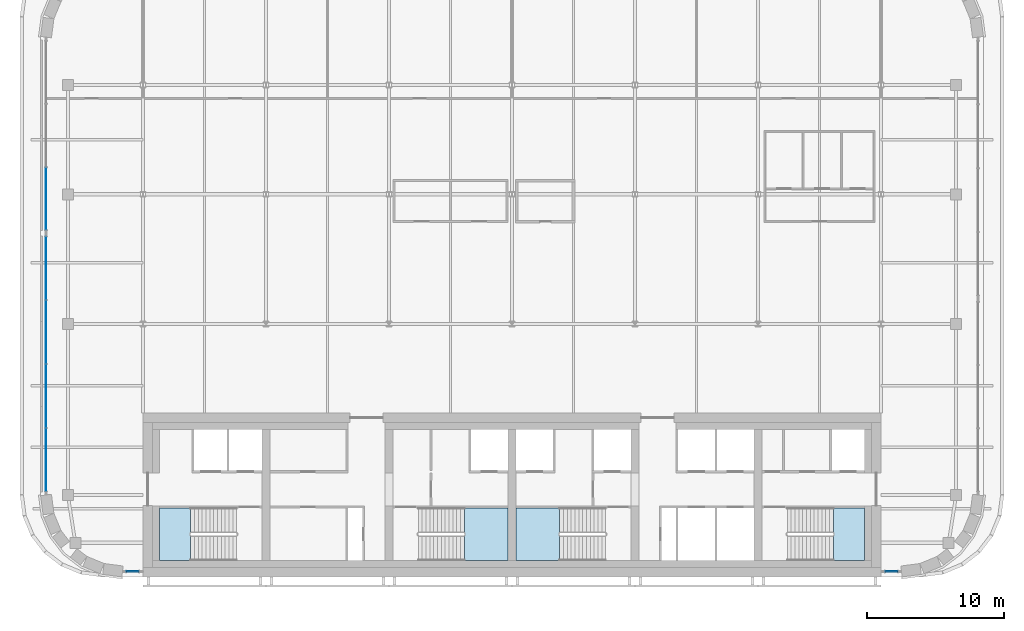
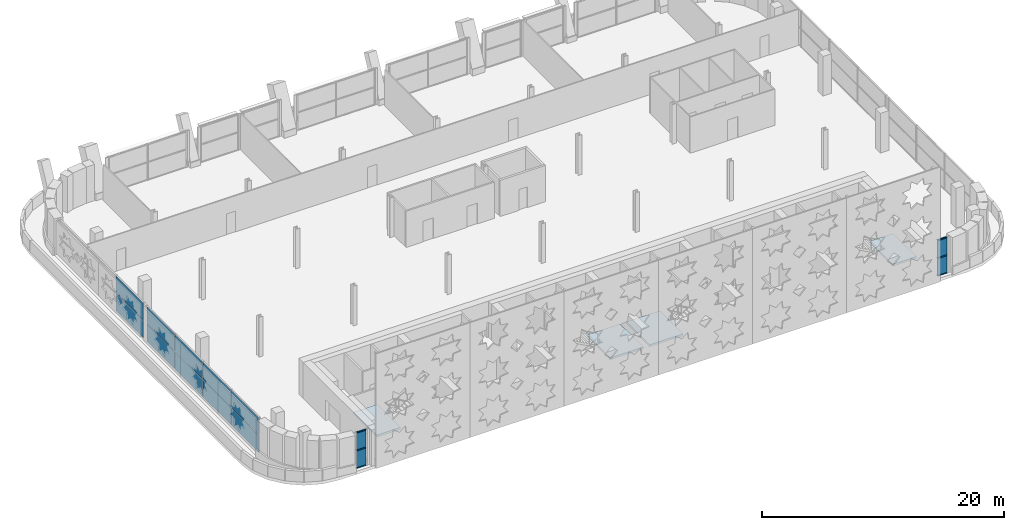
# One storey, part 14 of 25: 14 plates, 6 members, 4 slabs, 8 elements without a shape of their own.
"""IFC4 building model written with IfcOpenShell, lengths in metres."""

from ifc_helpers import new_model, si_unit, direction, frame, origin, origin_2d, place, context, subcontext, project, spatial, polyline, rectangle, outline, extrude, material, layer, layer_set, material_profile, profile_set, type_object, element, aggregate, save


model = new_model("IFC4")

# Units and contexts
model_context = context("Model", 3, precision=1e-05, world=origin(), true_north=direction((0.0, 1.0)))
body_context = subcontext(model_context, "Body", "Model", "MODEL_VIEW")
ifc_project = project(units=[si_unit("LENGTHUNIT", "METRE"), si_unit("AREAUNIT", "SQUARE_METRE"), si_unit("VOLUMEUNIT", "CUBIC_METRE"), si_unit("PLANEANGLEUNIT", "RADIAN"), si_unit("MASSUNIT", "GRAM", prefix="KILO")], contexts=[model_context])

# Site, building, storey
site_placement = place(None, origin())
site = spatial("IfcSite", under=ifc_project, at=site_placement, CompositionType="ELEMENT")
building_placement = place(site_placement, origin())
building = spatial("IfcBuilding", under=site, at=building_placement, Name="Zellij Exchange Tower", CompositionType="ELEMENT")
storey_placement = place(building_placement, frame((0.0, 0.0, 264.5)))
storey = spatial("IfcBuildingStorey", under=building, at=storey_placement, Name="L62", CompositionType="ELEMENT", Elevation=264.5)

# Curtain wall, members
ifc_material_1 = material(Name="Aluminium frame, clear insulating glass", Category="aluminium")
curtain_wall_type = type_object("IfcCurtainWallType", Name="ENV-CW6 Sky-lobby glazing", PredefinedType="NOTDEFINED", material=ifc_material_1)
curtain_wall_1_placement = place(storey_placement, origin())
curtain_wall_1 = element("IfcCurtainWall", 1, at=curtain_wall_1_placement, inside=storey, type_object=curtain_wall_type, Name="cw.L62.00a", PredefinedType="NOTDEFINED")
ifc_material_2 = material(Name="Aluminium", Category="aluminium")
ifc_material_profile = material_profile(ifc_material_2, rectangle(XDim=0.139892578125, YDim=0.06005859375, at=origin_2d()), Name="AL 140x60")
ifc_profile_set = profile_set([ifc_material_profile], Name="Aluminium")
member_type = type_object("IfcMemberType", Name="ENV-CW6T Transom 140x60", PredefinedType="USERDEFINED", material=ifc_profile_set)
member_1_placement = place(storey_placement, frame((-28.2138671875, -13.60009765625, 0.030029296875), z_axis=(1.0, 0.0, 0.0), x_axis=(0.0, 1.0, 0.0)))
member_1 = element("IfcMember", 2, at=member_1_placement, type_object=member_type, Name="CW6 transom 1.1", ObjectType="TRANSOM", PredefinedType="USERDEFINED", context=body_context, shape_type="SweptSolid", body=[
    extrude(rectangle(XDim=0.139892578125, YDim=0.06005859375, at=origin_2d()), origin(), (0.0, 0.0, 1.0), 0.90380859375),
])
member_2_placement = place(storey_placement, frame((-28.2138671875, -13.60009765625, 1.824951171875), z_axis=(1.0, 0.0, 0.0), x_axis=(0.0, 1.0, 0.0)))
member_2 = element("IfcMember", 3, at=member_2_placement, type_object=member_type, Name="CW6 transom 1.2", ObjectType="TRANSOM", PredefinedType="USERDEFINED", context=body_context, shape_type="SweptSolid", body=[
    extrude(rectangle(XDim=0.139892578125, YDim=0.06005859375, at=origin_2d()), origin(), (0.0, 0.0, 1.0), 0.90380859375),
])
member_3_placement = place(storey_placement, frame((-28.2138671875, -13.60009765625, 3.6201171875), z_axis=(1.0, 0.0, 0.0), x_axis=(0.0, 1.0, 0.0)))
member_3 = element("IfcMember", 4, at=member_3_placement, type_object=member_type, Name="CW6 transom 1.3", ObjectType="TRANSOM", PredefinedType="USERDEFINED", context=body_context, shape_type="SweptSolid", body=[
    extrude(rectangle(XDim=0.139892578125, YDim=0.06005859375, at=origin_2d()), origin(), (0.0, 0.0, 1.0), 0.90380859375),
])

curtain_wall_2_placement = place(storey_placement, origin())
curtain_wall_2 = element("IfcCurtainWall", 5, at=curtain_wall_2_placement, inside=storey, type_object=curtain_wall_type, Name="cw.L62.00b", PredefinedType="NOTDEFINED")
member_4_placement = place(storey_placement, frame((27.31005859375, -13.60009765625, 0.030029296875), z_axis=(1.0, 0.0, 0.0), x_axis=(0.0, 1.0, 0.0)))
member_4 = element("IfcMember", 6, at=member_4_placement, type_object=member_type, Name="CW6 transom 1.1", ObjectType="TRANSOM", PredefinedType="USERDEFINED", context=body_context, shape_type="SweptSolid", body=[
    extrude(rectangle(XDim=0.139892578125, YDim=0.06005859375, at=origin_2d()), origin(), (0.0, 0.0, 1.0), 0.90380859375),
])
member_5_placement = place(storey_placement, frame((27.31005859375, -13.60009765625, 1.824951171875), z_axis=(1.0, 0.0, 0.0), x_axis=(0.0, 1.0, 0.0)))
member_5 = element("IfcMember", 7, at=member_5_placement, type_object=member_type, Name="CW6 transom 1.2", ObjectType="TRANSOM", PredefinedType="USERDEFINED", context=body_context, shape_type="SweptSolid", body=[
    extrude(rectangle(XDim=0.139892578125, YDim=0.06005859375, at=origin_2d()), origin(), (0.0, 0.0, 1.0), 0.90380859375),
])
member_6_placement = place(storey_placement, frame((27.31005859375, -13.60009765625, 3.6201171875), z_axis=(1.0, 0.0, 0.0), x_axis=(0.0, 1.0, 0.0)))
member_6 = element("IfcMember", 8, at=member_6_placement, type_object=member_type, Name="CW6 transom 1.3", ObjectType="TRANSOM", PredefinedType="USERDEFINED", context=body_context, shape_type="SweptSolid", body=[
    extrude(rectangle(XDim=0.139892578125, YDim=0.06005859375, at=origin_2d()), origin(), (0.0, 0.0, 1.0), 0.90380859375),
])

# Stair, slab
ifc_material_3 = material(Name="Concrete C40/50", Category="concrete")
stair_type = type_object("IfcStairType", Name="CORE-ST exit stair 1850 wide", PredefinedType="HALF_TURN_STAIR", material=ifc_material_3)
stair_1_placement = place(storey_placement, origin())
stair_1 = element("IfcStair", 9, at=stair_1_placement, inside=storey, type_object=stair_type, Name="L62 exit stair ST1", PredefinedType="HALF_TURN_STAIR")
ifc_layer_1 = layer(ifc_material_3, 0.199951171875)
ifc_layer_set_1 = layer_set([ifc_layer_1], Name="Concrete C40/50")
slab_type = type_object("IfcSlabType", Name="CORE-SL stair landing 200", PredefinedType="LANDING", material=ifc_layer_set_1)
slab_1_placement = place(storey_placement, frame((0.0, 0.0, 1.800048828125)))
slab_1 = element("IfcSlab", 10, at=slab_1_placement, type_object=slab_type, Name="ST1 landing 1", PredefinedType="LANDING", context=body_context, shape_type="SweptSolid", body=[
    extrude(outline(polyline([(-23.510009765625, -8.949951171875), (-25.800048828125, -8.949951171875), (-25.800048828125, -12.800048828125), (-23.510009765625, -12.800048828125), (-23.510009765625, -8.949951171875)])), origin(), (0.0, 0.0, 1.0), 0.199951171875),
])
aggregate(stair_1, [slab_1])

stair_2_placement = place(storey_placement, origin())
stair_2 = element("IfcStair", 11, at=stair_2_placement, inside=storey, type_object=stair_type, Name="L62 exit stair ST2", PredefinedType="HALF_TURN_STAIR")
slab_2_placement = place(storey_placement, frame((0.0, 0.0, 1.800048828125)))
slab_2 = element("IfcSlab", 12, at=slab_2_placement, type_object=slab_type, Name="ST2 landing 1", PredefinedType="LANDING", context=body_context, shape_type="SweptSolid", body=[
    extrude(outline(polyline([(-3.489990234375, -12.800048828125), (-0.300048828125, -12.800048828125), (-0.300048828125, -8.949951171875), (-3.489990234375, -8.949951171875), (-3.489990234375, -12.800048828125)])), origin(), (0.0, 0.0, 1.0), 0.199951171875),
])
aggregate(stair_2, [slab_2])

stair_3_placement = place(storey_placement, origin())
stair_3 = element("IfcStair", 13, at=stair_3_placement, inside=storey, type_object=stair_type, Name="L62 exit stair ST3", PredefinedType="HALF_TURN_STAIR")
slab_3_placement = place(storey_placement, frame((0.0, 0.0, 1.800048828125)))
slab_3 = element("IfcSlab", 14, at=slab_3_placement, type_object=slab_type, Name="ST3 landing 1", PredefinedType="LANDING", context=body_context, shape_type="SweptSolid", body=[
    extrude(outline(polyline([(3.489990234375, -8.949951171875), (0.300048828125, -8.949951171875), (0.300048828125, -12.800048828125), (3.489990234375, -12.800048828125), (3.489990234375, -8.949951171875)])), origin(), (0.0, 0.0, 1.0), 0.199951171875),
])
aggregate(stair_3, [slab_3])

stair_4_placement = place(storey_placement, origin())
stair_4 = element("IfcStair", 15, at=stair_4_placement, inside=storey, type_object=stair_type, Name="L62 exit stair ST4", PredefinedType="HALF_TURN_STAIR")
slab_4_placement = place(storey_placement, frame((0.0, 0.0, 1.800048828125)))
slab_4 = element("IfcSlab", 16, at=slab_4_placement, type_object=slab_type, Name="ST4 landing 1", PredefinedType="LANDING", context=body_context, shape_type="SweptSolid", body=[
    extrude(outline(polyline([(23.510009765625, -12.800048828125), (25.800048828125, -12.800048828125), (25.800048828125, -8.949951171875), (23.510009765625, -8.949951171875), (23.510009765625, -12.800048828125)])), origin(), (0.0, 0.0, 1.0), 0.199951171875),
])
aggregate(stair_4, [slab_4])

# Plate
ifc_material_4 = material(Name="Insulating glass unit, clear", Category="glass")
ifc_layer_2 = layer(ifc_material_4, 0.035888671875)
ifc_layer_set_2 = layer_set([ifc_layer_2], Name="Insulating glass unit, clear")
plate_type = type_object("IfcPlateType", Name="ENV-CW6P Glazed panel 36", PredefinedType="CURTAIN_PANEL", material=ifc_layer_set_2)
plate_1_placement = place(storey_placement, frame((-27.761962890625, -13.60009765625, 0.06005859375), z_axis=(0.0, 0.0, 1.0), x_axis=(1.0, 0.0, 0.0)))
plate_1 = element("IfcPlate", 17, at=plate_1_placement, type_object=plate_type, Name="CW6 panel 1.1", PredefinedType="CURTAIN_PANEL", context=body_context, shape_type="SweptSolid", body=[
    extrude(rectangle(XDim=0.90380859375, YDim=0.035888671875, at=origin_2d()), origin(), (0.0, 0.0, 1.0), 1.735107421875),
])

plate_2_placement = place(storey_placement, frame((-27.761962890625, -13.60009765625, 1.85498046875), z_axis=(0.0, 0.0, 1.0), x_axis=(1.0, 0.0, 0.0)))
plate_2 = element("IfcPlate", 18, at=plate_2_placement, type_object=plate_type, Name="CW6 panel 1.2", PredefinedType="CURTAIN_PANEL", context=body_context, shape_type="SweptSolid", body=[
    extrude(rectangle(XDim=0.90380859375, YDim=0.035888671875, at=origin_2d()), origin(), (0.0, 0.0, 1.0), 1.735107421875),
])

aggregate(curtain_wall_1, [member_1, member_2, member_3, plate_1, plate_2])

plate_3_placement = place(storey_placement, frame((27.761962890625, -13.60009765625, 0.06005859375), z_axis=(0.0, 0.0, 1.0), x_axis=(1.0, 0.0, 0.0)))
plate_3 = element("IfcPlate", 19, at=plate_3_placement, type_object=plate_type, Name="CW6 panel 1.1", PredefinedType="CURTAIN_PANEL", context=body_context, shape_type="SweptSolid", body=[
    extrude(rectangle(XDim=0.90380859375, YDim=0.035888671875, at=origin_2d()), origin(), (0.0, 0.0, 1.0), 1.735107421875),
])

plate_4_placement = place(storey_placement, frame((27.761962890625, -13.60009765625, 1.85498046875), z_axis=(0.0, 0.0, 1.0), x_axis=(1.0, 0.0, 0.0)))
plate_4 = element("IfcPlate", 20, at=plate_4_placement, type_object=plate_type, Name="CW6 panel 1.2", PredefinedType="CURTAIN_PANEL", context=body_context, shape_type="SweptSolid", body=[
    extrude(rectangle(XDim=0.90380859375, YDim=0.035888671875, at=origin_2d()), origin(), (0.0, 0.0, 1.0), 1.735107421875),
])

aggregate(curtain_wall_2, [member_4, member_5, member_6, plate_3, plate_4])

# Curtain wall, plates
curtain_wall_3_placement = place(storey_placement, origin())
curtain_wall_3 = element("IfcCurtainWall", 21, at=curtain_wall_3_placement, inside=storey, type_object=curtain_wall_type, Name="cw.L62.21a", PredefinedType="NOTDEFINED")
plate_5_placement = place(storey_placement, frame((-34.10009765625, 13.676513671875, 0.06005859375), z_axis=(0.0, 0.0, 1.0), x_axis=(0.0, -1.0, 0.0)))
plate_5 = element("IfcPlate", 22, at=plate_5_placement, type_object=plate_type, Name="CW6 panel 3.1", PredefinedType="CURTAIN_PANEL", context=body_context, shape_type="SweptSolid", body=[
    extrude(rectangle(XDim=4.554931640625, YDim=0.035888671875, at=origin_2d()), origin(), (0.0, 0.0, 1.0), 1.735107421875),
])
plate_6_placement = place(storey_placement, frame((-34.10009765625, 13.676513671875, 1.85498046875), z_axis=(0.0, 0.0, 1.0), x_axis=(0.0, -1.0, 0.0)))
plate_6 = element("IfcPlate", 23, at=plate_6_placement, type_object=plate_type, Name="CW6 panel 3.2", PredefinedType="CURTAIN_PANEL", context=body_context, shape_type="SweptSolid", body=[
    extrude(rectangle(XDim=4.554931640625, YDim=0.035888671875, at=origin_2d()), origin(), (0.0, 0.0, 1.0), 1.735107421875),
])
aggregate(curtain_wall_3, [plate_5, plate_6])

curtain_wall_4_placement = place(storey_placement, origin())
curtain_wall_4 = element("IfcCurtainWall", 24, at=curtain_wall_4_placement, inside=storey, type_object=curtain_wall_type, Name="cw.L62.21b", PredefinedType="NOTDEFINED")
plate_7_placement = place(storey_placement, frame((-34.10009765625, 8.5849609375, 0.06005859375), z_axis=(0.0, 0.0, 1.0), x_axis=(0.0, -1.0, 0.0)))
plate_7 = element("IfcPlate", 25, at=plate_7_placement, type_object=plate_type, Name="CW6 panel 1.1", PredefinedType="CURTAIN_PANEL", context=body_context, shape_type="SweptSolid", body=[
    extrude(rectangle(XDim=4.588134765625, YDim=0.035888671875, at=origin_2d()), origin(), (0.0, 0.0, 1.0), 1.735107421875),
])
plate_8_placement = place(storey_placement, frame((-34.10009765625, 8.5849609375, 1.85498046875), z_axis=(0.0, 0.0, 1.0), x_axis=(0.0, -1.0, 0.0)))
plate_8 = element("IfcPlate", 26, at=plate_8_placement, type_object=plate_type, Name="CW6 panel 1.2", PredefinedType="CURTAIN_PANEL", context=body_context, shape_type="SweptSolid", body=[
    extrude(rectangle(XDim=4.588134765625, YDim=0.035888671875, at=origin_2d()), origin(), (0.0, 0.0, 1.0), 1.735107421875),
])
plate_9_placement = place(storey_placement, frame((-34.10009765625, 3.921875, 0.06005859375), z_axis=(0.0, 0.0, 1.0), x_axis=(0.0, -1.0, 0.0)))
plate_9 = element("IfcPlate", 27, at=plate_9_placement, type_object=plate_type, Name="CW6 panel 2.1", PredefinedType="CURTAIN_PANEL", context=body_context, shape_type="SweptSolid", body=[
    extrude(rectangle(XDim=4.6181640625, YDim=0.035888671875, at=origin_2d()), origin(), (0.0, 0.0, 1.0), 1.735107421875),
])
plate_10_placement = place(storey_placement, frame((-34.10009765625, 3.921875, 1.85498046875), z_axis=(0.0, 0.0, 1.0), x_axis=(0.0, -1.0, 0.0)))
plate_10 = element("IfcPlate", 28, at=plate_10_placement, type_object=plate_type, Name="CW6 panel 2.2", PredefinedType="CURTAIN_PANEL", context=body_context, shape_type="SweptSolid", body=[
    extrude(rectangle(XDim=4.6181640625, YDim=0.035888671875, at=origin_2d()), origin(), (0.0, 0.0, 1.0), 1.735107421875),
])
plate_11_placement = place(storey_placement, frame((-34.10009765625, -0.75634765625, 0.06005859375), z_axis=(0.0, 0.0, 1.0), x_axis=(0.0, -1.0, 0.0)))
plate_11 = element("IfcPlate", 29, at=plate_11_placement, type_object=plate_type, Name="CW6 panel 3.1", PredefinedType="CURTAIN_PANEL", context=body_context, shape_type="SweptSolid", body=[
    extrude(rectangle(XDim=4.6181640625, YDim=0.035888671875, at=origin_2d()), origin(), (0.0, 0.0, 1.0), 1.735107421875),
])
plate_12_placement = place(storey_placement, frame((-34.10009765625, -0.75634765625, 1.85498046875), z_axis=(0.0, 0.0, 1.0), x_axis=(0.0, -1.0, 0.0)))
plate_12 = element("IfcPlate", 30, at=plate_12_placement, type_object=plate_type, Name="CW6 panel 3.2", PredefinedType="CURTAIN_PANEL", context=body_context, shape_type="SweptSolid", body=[
    extrude(rectangle(XDim=4.6181640625, YDim=0.035888671875, at=origin_2d()), origin(), (0.0, 0.0, 1.0), 1.735107421875),
])
plate_13_placement = place(storey_placement, frame((-34.10009765625, -5.419677734375, 0.06005859375), z_axis=(0.0, 0.0, 1.0), x_axis=(0.0, -1.0, 0.0)))
plate_13 = element("IfcPlate", 31, at=plate_13_placement, type_object=plate_type, Name="CW6 panel 4.1", PredefinedType="CURTAIN_PANEL", context=body_context, shape_type="SweptSolid", body=[
    extrude(rectangle(XDim=4.588134765625, YDim=0.035888671875, at=origin_2d()), origin(), (0.0, 0.0, 1.0), 1.735107421875),
])
plate_14_placement = place(storey_placement, frame((-34.10009765625, -5.419677734375, 1.85498046875), z_axis=(0.0, 0.0, 1.0), x_axis=(0.0, -1.0, 0.0)))
plate_14 = element("IfcPlate", 32, at=plate_14_placement, type_object=plate_type, Name="CW6 panel 4.2", PredefinedType="CURTAIN_PANEL", context=body_context, shape_type="SweptSolid", body=[
    extrude(rectangle(XDim=4.588134765625, YDim=0.035888671875, at=origin_2d()), origin(), (0.0, 0.0, 1.0), 1.735107421875),
])
aggregate(curtain_wall_4, [plate_7, plate_8, plate_9, plate_10, plate_11, plate_12, plate_13, plate_14])

save(model, "model.ifc")
